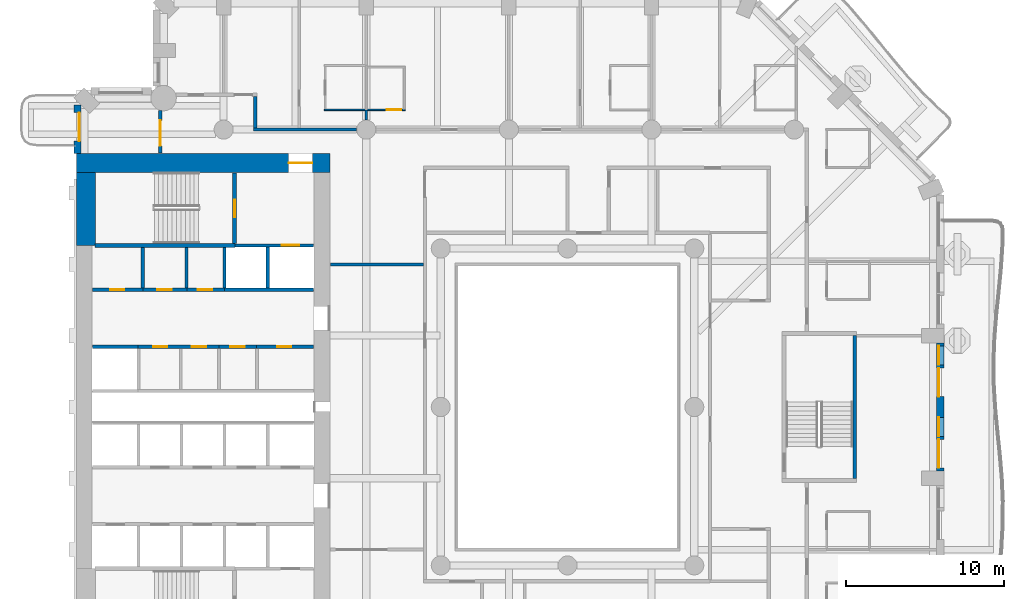
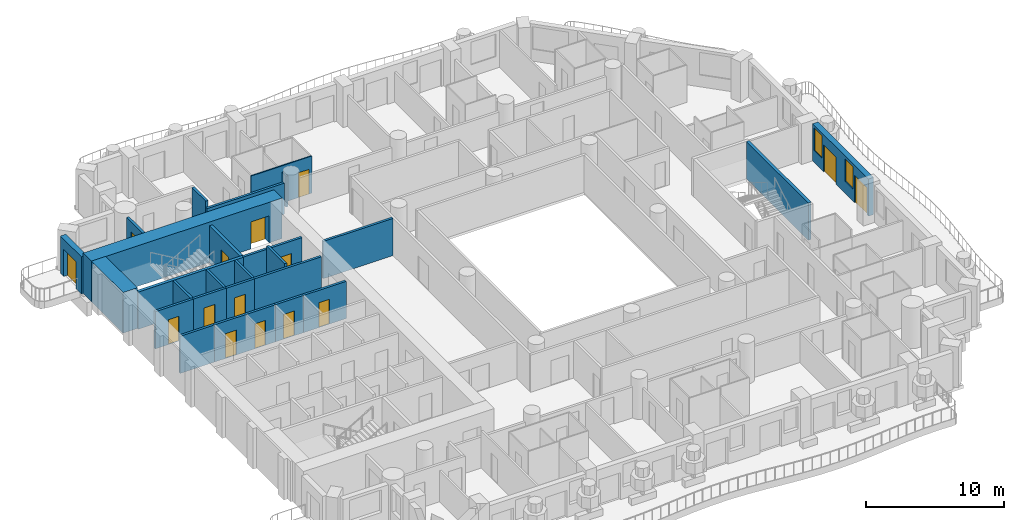
# One storey, part 7 of 20: 26 walls, 15 doors, 2 windows, 17 openings.
"""IFC4 building model written with IfcOpenShell, lengths in metres."""

import ifcopenshell
import ifcopenshell.guid

model = None  # the IFC model being written
_history = None  # IfcOwnerHistory: only IFC2X3 demands one
_inside = {}  # id of a spatial element -> (the spatial element, [elements in it])
_under = {}  # id of a project, library or spatial element -> (it, [spatial elements below it])
_declared = {}  # id of a project -> (the project, [libraries it declares])
_typed = {}  # id of a type object -> (the type object, [elements of that type])
_made_of = {}  # id of a material, layer set ... -> (it, [elements and type objects made of it])


def new_model(schema):
    """Start an empty IFC model of exactly this schema.

    Asked for "IFC4X3", IfcOpenShell would pick the latest addendum, in which some entities
    have other attributes; the version numbers below select the first issue.
    IFC2X3 requires an IfcOwnerHistory on every rooted entity: one is made here for all.
    """
    global model, _history
    if schema == "IFC4X3":
        model = ifcopenshell.file(schema_version=(4, 3, 0, 0))
    else:
        model = ifcopenshell.file(schema=schema)
    _inside.clear()
    _under.clear()
    _declared.clear()
    _typed.clear()
    _made_of.clear()
    _history = None
    if model.schema == "IFC2X3":
        org = make("IfcOrganization", Name="unknown")
        user = make(
            "IfcPersonAndOrganization",
            ThePerson=make("IfcPerson", FamilyName="unknown"),
            TheOrganization=org,
        )
        app = make(
            "IfcApplication",
            ApplicationDeveloper=org,
            Version="unknown",
            ApplicationFullName="unknown",
            ApplicationIdentifier="unknown",
        )
        _history = make(
            "IfcOwnerHistory",
            OwningUser=user,
            OwningApplication=app,
            ChangeAction="ADDED",
            CreationDate=0,
        )
    return model


def make(cls, **values):
    """One entity of the class cls with the attributes given. An attribute that is None is left unset."""
    return model.create_entity(
        cls, **{name: value for name, value in values.items() if value is not None}
    )


def rooted(cls, **values):
    """An entity with a GlobalId (a new one), such as an element, a storey or a relation."""
    return make(cls, GlobalId=ifcopenshell.guid.new(), OwnerHistory=_history, **values)


def si_unit(unit_type, name, prefix=None):
    """IfcSIUnit, for example si_unit("LENGTHUNIT", "METRE", prefix="MILLI")."""
    return make("IfcSIUnit", UnitType=unit_type, Prefix=prefix, Name=name)


def assignment(units):
    """IfcUnitAssignment: the units of a project."""
    return None if units is None else make("IfcUnitAssignment", Units=units)


def point(xyz):
    """IfcCartesianPoint."""
    return None if xyz is None else make("IfcCartesianPoint", Coordinates=xyz)


def direction(xyz):
    """IfcDirection."""
    return None if xyz is None else make("IfcDirection", DirectionRatios=xyz)


def frame(location, z_axis=None, x_axis=None):
    """IfcAxis2Placement3D, a coordinate frame: its origin and axes. An axis left out is left unset."""
    return make(
        "IfcAxis2Placement3D",
        Location=point(location),
        Axis=direction(z_axis),
        RefDirection=direction(x_axis),
    )


def frame_2d(location, x_axis=None):
    """IfcAxis2Placement2D, a coordinate frame in the plane: its origin and x axis."""
    return make(
        "IfcAxis2Placement2D", Location=point(location), RefDirection=direction(x_axis)
    )


def origin():
    """The frame at (0, 0, 0) with its axes left unset."""
    return frame((0.0, 0.0, 0.0))


def place(relative_to, where):
    """IfcLocalPlacement: puts the frame where relative to a parent placement (None: the world)."""
    return make(
        "IfcLocalPlacement", PlacementRelTo=relative_to, RelativePlacement=where
    )


def context(
    kind, dimensions, precision=None, world=None, true_north=None, identifier=None
):
    """IfcGeometricRepresentationContext, for example the 3D "Model" context."""
    return make(
        "IfcGeometricRepresentationContext",
        ContextIdentifier=identifier,
        ContextType=kind,
        CoordinateSpaceDimension=dimensions,
        Precision=precision,
        WorldCoordinateSystem=world,
        TrueNorth=true_north,
    )


def subcontext(parent, identifier, kind, view, scale=None):
    """IfcGeometricRepresentationSubContext, for example "Body" below "Model"."""
    return make(
        "IfcGeometricRepresentationSubContext",
        ContextIdentifier=identifier,
        ContextType=kind,
        ParentContext=parent,
        TargetScale=scale,
        TargetView=view,
    )


def project(units=None, contexts=None):
    """IfcProject with its units and contexts."""
    return rooted(
        "IfcProject",
        Name="project",
        RepresentationContexts=contexts,
        UnitsInContext=assignment(units),
    )


def spatial(cls, under=None, at=None, **own):
    """A site, building, storey or space (cls), placed at a placement, below another one or the project."""
    s = rooted(cls, ObjectPlacement=at, **own)
    if under is not None:
        _under.setdefault(under.id(), (under, []))[1].append(s)
    return s


def profile(cls, at=None, kind="AREA", **sizes):
    """A parametric profile (cls). Its sizes go by their IFC names, for example OverallWidth=200.0."""
    return make(cls, ProfileType=kind, Position=at, **sizes)


def rectangle(**sizes):
    """IfcRectangleProfileDef."""
    return profile("IfcRectangleProfileDef", **sizes)


def extrude(swept, where, along, depth):
    """IfcExtrudedAreaSolid: the profile swept, set in the frame where, extruded along a direction by depth."""
    return make(
        "IfcExtrudedAreaSolid",
        SweptArea=swept,
        Position=where,
        ExtrudedDirection=direction(along),
        Depth=depth,
    )


def shape(context_of_items, identifier, shape_type, items):
    """IfcShapeRepresentation: the items that make up one representation, for example the "Body"."""
    return make(
        "IfcShapeRepresentation",
        ContextOfItems=context_of_items,
        RepresentationIdentifier=identifier,
        RepresentationType=shape_type,
        Items=items,
    )


def material(Name=None, Category=None):
    """IfcMaterial."""
    return make("IfcMaterial", Name=Name, Category=Category)


def layer(
    of_material, thickness, ventilated=None, Name=None, Category=None, Priority=None
):
    """IfcMaterialLayer: one layer of a wall or slab, of a material (None: an air gap)."""
    return make(
        "IfcMaterialLayer",
        Material=of_material,
        LayerThickness=thickness,
        IsVentilated=ventilated,
        Name=Name,
        Category=Category,
        Priority=Priority,
    )


def layer_set(layers, Name=None):
    """IfcMaterialLayerSet."""
    return make("IfcMaterialLayerSet", MaterialLayers=layers, LayerSetName=Name)


def made_of(thing, what):
    """Note that an element or type object is made of a material, layer set ...; save() writes the relation."""
    if what is not None:
        _made_of.setdefault(what.id(), (what, []))[1].append(thing)
    return thing


def type_object(cls, material=None, **own):
    """A type object (cls), such as IfcWallType, which elements share."""
    return made_of(rooted(cls, **own), material)


def element(
    cls,
    number,
    at=None,
    inside=None,
    cuts=None,
    type_object=None,
    material=None,
    context=None,
    identifier="Body",
    shape_type=None,
    held_by="IfcProductDefinitionShape",
    body=None,
    shapes=None,
    **own,
):
    """One element of the class cls, such as IfcWall. Its Tag is "e" and its number.

    at: its placement. inside: the storey or other place that contains it. cuts: it is an
    opening in that element (IfcRelVoidsElement). A single representation is given by context,
    identifier, shape_type and body (its items); several are given by shapes. held_by: the class
    of the entity that holds the representations. save() writes the other relations.
    """
    e = rooted(cls, Tag="e%d" % number, ObjectPlacement=at, **own)
    if body is not None:
        shapes = [shape(context, identifier, shape_type, body)]
    if shapes is not None:
        e.Representation = make(held_by, Representations=shapes)
    if inside is not None:
        _inside.setdefault(inside.id(), (inside, []))[1].append(e)
    if cuts is not None:
        rooted(
            "IfcRelVoidsElement", RelatingBuildingElement=cuts, RelatedOpeningElement=e
        )
    if type_object is not None:
        _typed.setdefault(type_object.id(), (type_object, []))[1].append(e)
    return made_of(e, material)


def fill(opening, filler):
    """IfcRelFillsElement: the door or window that sits in an opening."""
    return rooted(
        "IfcRelFillsElement",
        RelatingOpeningElement=opening,
        RelatedBuildingElement=filler,
    )


def aggregate(whole, parts):
    """IfcRelAggregates: a whole, such as a stair, and the parts it consists of."""
    return rooted("IfcRelAggregates", RelatingObject=whole, RelatedObjects=parts)


def save(model, path):
    """Write the relations noted so far, then the file.

    IfcRelAggregates (storeys below a building ...), IfcRelContainedInSpatialStructure (elements
    in a storey), IfcRelDefinesByType, IfcRelAssociatesMaterial and IfcRelDeclares: one each for
    every whole, place, type object, material and project.
    """
    for whole, parts in _under.values():
        aggregate(whole, parts)
    for where, things in _inside.values():
        rooted(
            "IfcRelContainedInSpatialStructure",
            RelatedElements=things,
            RelatingStructure=where,
        )
    for kind, things in _typed.values():
        rooted("IfcRelDefinesByType", RelatedObjects=things, RelatingType=kind)
    for what, things in _made_of.values():
        rooted("IfcRelAssociatesMaterial", RelatedObjects=things, RelatingMaterial=what)
    for by, libraries in _declared.values():
        rooted("IfcRelDeclares", RelatingContext=by, RelatedDefinitions=libraries)
    model.write(path)


model = new_model("IFC4")

# Units and contexts
model_context = context("Model", 3, precision=1e-05, world=origin(), true_north=direction((0.0, 1.0)))
body_context = subcontext(model_context, "Body", "Model", "MODEL_VIEW")
ifc_project = project(units=[si_unit("LENGTHUNIT", "METRE"), si_unit("AREAUNIT", "SQUARE_METRE"), si_unit("VOLUMEUNIT", "CUBIC_METRE"), si_unit("PLANEANGLEUNIT", "RADIAN"), si_unit("MASSUNIT", "GRAM", prefix="KILO")], contexts=[model_context])

# Site, building, storey
site_placement = place(None, origin())
site = spatial("IfcSite", under=ifc_project, at=site_placement, CompositionType="ELEMENT")
building_placement = place(site_placement, origin())
building = spatial("IfcBuilding", under=site, at=building_placement, Name="Cypress Arch Tower", CompositionType="ELEMENT")
storey_placement = place(building_placement, frame((0.0, 0.0, 84.300048828125)))
storey = spatial("IfcBuildingStorey", under=building, at=storey_placement, Name="L15", CompositionType="ELEMENT", Elevation=84.300048828125)

# Wall, opening, door
ifc_material_1 = material(Name="Brick (red buff blend)", Category="masonry")
ifc_layer_1 = layer(ifc_material_1, 0.449951171875)
ifc_layer_set_1 = layer_set([ifc_layer_1], Name="Brick pier and spandrel wall BW450")
wall_type_1 = type_object("IfcWallType", Name="Brick pier and spandrel wall BW450", PredefinedType="SOLIDWALL", material=ifc_layer_set_1)
wall_1_placement = place(storey_placement, frame((-29.925048828125, 19.063720703125, 0.0), z_axis=(0.0, 0.0, 1.0), x_axis=(0.0, -1.0, 0.0)))
wall_1 = element("IfcWall", 1, at=wall_1_placement, inside=storey, type_object=wall_type_1, Name="Brick wall L15 A00.0", PredefinedType="SOLIDWALL", context=body_context, shape_type="SweptSolid", body=[
    extrude(rectangle(XDim=3.063720703125, YDim=0.449951171875, at=frame_2d((1.53173828125, 0.0))), origin(), (0.0, 0.0, 1.0), 3.300048828125),
])
opening_1_placement = place(wall_1_placement, frame((0.481689453125, 0.0, 0.0)))
opening_1 = element("IfcOpeningElement", 2, at=opening_1_placement, cuts=wall_1, Name="Opening D-L15-A00.0.1", PredefinedType="OPENING", context=body_context, shape_type="SweptSolid", body=[
    extrude(rectangle(XDim=1.800048828125, YDim=2.39990234375, at=frame_2d((0.89990234375, 1.199951171875))), frame((0.0, 0.23486328125, 0.0), z_axis=(0.0, -1.0, 0.0), x_axis=(1.0, 0.0, 0.0)), (0.0, 0.0, 1.0), 0.469970703125),
])
ifc_material_2 = material(Name="Anodised aluminium, bronze finish, laminated low-emissivity double glazing, large-missile impact rated", Category="aluminium")
door_type_1 = type_object("IfcDoorType", Name="Balcony sliding door 1800x2400", OperationType="SLIDING_TO_LEFT", PredefinedType="DOOR", material=ifc_material_2)
door_1_placement = place(opening_1_placement, origin())
door_1 = element("IfcDoor", 3, at=door_1_placement, inside=storey, type_object=door_type_1, Name="Balcony door L15 A00.0.1", OperationType="SLIDING_TO_LEFT", OverallHeight=2.39990234375, OverallWidth=1.800048828125, PredefinedType="DOOR", context=body_context, shape_type="SweptSolid", body=[
    extrude(rectangle(XDim=1.800048828125, YDim=2.39990234375, at=frame_2d((0.89990234375, 1.199951171875))), frame((0.0, 0.1298828125, 0.0), z_axis=(0.0, -1.0, 0.0), x_axis=(1.0, 0.0, 0.0)), (0.0, 0.0, 1.0), 0.050048828125),
])
fill(opening_1, door_1)

# Wall, openings, doors, windows
wall_2_placement = place(storey_placement, frame((24.52490234375, -4.050048828125, 0.0), z_axis=(0.0, 0.0, 1.0), x_axis=(0.0, 1.0, 0.0)))
wall_2 = element("IfcWall", 4, at=wall_2_placement, inside=storey, type_object=wall_type_1, Name="Brick wall L15 A06.2", PredefinedType="SOLIDWALL", context=body_context, shape_type="SweptSolid", body=[
    extrude(rectangle(XDim=8.10009765625, YDim=0.449951171875, at=frame_2d((4.050048828125, 0.0))), origin(), (0.0, 0.0, 1.0), 3.300048828125),
])
opening_2_placement = place(wall_2_placement, frame((0.199951171875, 0.0, 0.0)))
opening_2 = element("IfcOpeningElement", 5, at=opening_2_placement, cuts=wall_2, Name="Opening D-L15-A06.2.1", PredefinedType="OPENING", context=body_context, shape_type="SweptSolid", body=[
    extrude(rectangle(XDim=1.800048828125, YDim=2.39990234375, at=frame_2d((0.89990234375, 1.199951171875))), frame((0.0, 0.23486328125, 0.0), z_axis=(0.0, -1.0, 0.0), x_axis=(1.0, 0.0, 0.0)), (0.0, 0.0, 1.0), 0.469970703125),
])
opening_3_placement = place(wall_2_placement, frame((2.199951171875, 0.0, 1.050048828125)))
opening_3 = element("IfcOpeningElement", 6, at=opening_3_placement, cuts=wall_2, Name="Opening W120HD", PredefinedType="OPENING", context=body_context, shape_type="SweptSolid", body=[
    extrude(rectangle(XDim=1.199951171875, YDim=2.0, at=frame_2d((0.60009765625, 1.0))), frame((0.0, 0.23486328125, 0.0), z_axis=(0.0, -1.0, 0.0), x_axis=(1.0, 0.0, 0.0)), (0.0, 0.0, 1.0), 0.469970703125),
])
opening_4_placement = place(wall_2_placement, frame((4.699951171875, 0.0, 0.0)))
opening_4 = element("IfcOpeningElement", 7, at=opening_4_placement, cuts=wall_2, Name="Opening D-L15-A06.2.2", PredefinedType="OPENING", context=body_context, shape_type="SweptSolid", body=[
    extrude(rectangle(XDim=1.800048828125, YDim=2.39990234375, at=frame_2d((0.89990234375, 1.199951171875))), frame((0.0, 0.23486328125, 0.0), z_axis=(0.0, -1.0, 0.0), x_axis=(1.0, 0.0, 0.0)), (0.0, 0.0, 1.0), 0.469970703125),
])
opening_5_placement = place(wall_2_placement, frame((6.699951171875, 0.0, 1.050048828125)))
opening_5 = element("IfcOpeningElement", 8, at=opening_5_placement, cuts=wall_2, Name="Opening W120HD", PredefinedType="OPENING", context=body_context, shape_type="SweptSolid", body=[
    extrude(rectangle(XDim=1.199951171875, YDim=2.0, at=frame_2d((0.60009765625, 1.0))), frame((0.0, 0.23486328125, 0.0), z_axis=(0.0, -1.0, 0.0), x_axis=(1.0, 0.0, 0.0)), (0.0, 0.0, 1.0), 0.469970703125),
])
door_2_placement = place(opening_2_placement, origin())
door_2 = element("IfcDoor", 9, at=door_2_placement, inside=storey, type_object=door_type_1, Name="Balcony door L15 A06.2.1", OperationType="SLIDING_TO_LEFT", OverallHeight=2.39990234375, OverallWidth=1.800048828125, PredefinedType="DOOR", context=body_context, shape_type="SweptSolid", body=[
    extrude(rectangle(XDim=1.800048828125, YDim=2.39990234375, at=frame_2d((0.89990234375, 1.199951171875))), frame((0.0, 0.1298828125, 0.0), z_axis=(0.0, -1.0, 0.0), x_axis=(1.0, 0.0, 0.0)), (0.0, 0.0, 1.0), 0.050048828125),
])
fill(opening_2, door_2)
door_3_placement = place(opening_4_placement, origin())
door_3 = element("IfcDoor", 10, at=door_3_placement, inside=storey, type_object=door_type_1, Name="Balcony door L15 A06.2.2", OperationType="SLIDING_TO_LEFT", OverallHeight=2.39990234375, OverallWidth=1.800048828125, PredefinedType="DOOR", context=body_context, shape_type="SweptSolid", body=[
    extrude(rectangle(XDim=1.800048828125, YDim=2.39990234375, at=frame_2d((0.89990234375, 1.199951171875))), frame((0.0, 0.1298828125, 0.0), z_axis=(0.0, -1.0, 0.0), x_axis=(1.0, 0.0, 0.0)), (0.0, 0.0, 1.0), 0.050048828125),
])
fill(opening_4, door_3)
ifc_material_3 = material(Name="Anodised aluminium, bronze finish, laminated low-emissivity double glazing, large-missile impact rated", Category="aluminium")
window_type = type_object("IfcWindowType", Name="Window Hotel 1200x2000 debris-rated", PartitioningType="SINGLE_PANEL", PredefinedType="WINDOW", material=ifc_material_3)
window_1_placement = place(opening_3_placement, origin())
window_1 = element("IfcWindow", 11, at=window_1_placement, inside=storey, type_object=window_type, Name="Window L15 A06.2.1", OverallHeight=2.0, OverallWidth=1.199951171875, PartitioningType="SINGLE_PANEL", PredefinedType="WINDOW", context=body_context, shape_type="SweptSolid", body=[
    extrude(rectangle(XDim=1.199951171875, YDim=2.0, at=frame_2d((0.60009765625, 1.0))), frame((0.0, 0.135009765625, 0.0), z_axis=(0.0, -1.0, 0.0), x_axis=(1.0, 0.0, 0.0)), (0.0, 0.0, 1.0), 0.06005859375),
])
fill(opening_3, window_1)
window_2_placement = place(opening_5_placement, origin())
window_2 = element("IfcWindow", 12, at=window_2_placement, inside=storey, type_object=window_type, Name="Window L15 A06.2.2", OverallHeight=2.0, OverallWidth=1.199951171875, PartitioningType="SINGLE_PANEL", PredefinedType="WINDOW", context=body_context, shape_type="SweptSolid", body=[
    extrude(rectangle(XDim=1.199951171875, YDim=2.0, at=frame_2d((0.60009765625, 1.0))), frame((0.0, 0.135009765625, 0.0), z_axis=(0.0, -1.0, 0.0), x_axis=(1.0, 0.0, 0.0)), (0.0, 0.0, 1.0), 0.06005859375),
])
fill(opening_5, window_2)

# Wall, opening, door
ifc_material_4 = material(Name="Concrete C80/95", Category="concrete")
ifc_layer_2 = layer(ifc_material_4, 1.199951171875)
ifc_layer_set_2 = layer_set([ifc_layer_2], Name="Core wall CW1200 C80/95")
wall_type_2 = type_object("IfcWallType", Name="Core wall CW1200 C80/95", PredefinedType="SHEAR", material=ifc_layer_set_2)
wall_3_placement = place(storey_placement, frame((-30.0, 15.39990234375, 0.0), z_axis=(0.0, 0.0, 1.0), x_axis=(1.0, 0.0, 0.0)))
wall_3 = element("IfcWall", 13, at=wall_3_placement, inside=storey, type_object=wall_type_2, Name="Core wall", PredefinedType="SHEAR", context=body_context, shape_type="SweptSolid", body=[
    extrude(rectangle(XDim=16.0, YDim=1.199951171875, at=frame_2d((8.0, 0.0))), origin(), (0.0, 0.0, 1.0), 3.599853515625),
])
opening_6_placement = place(wall_3_placement, frame((13.39990234375, 0.0, 0.0)))
opening_6 = element("IfcOpeningElement", 14, at=opening_6_placement, cuts=wall_3, Name="Opening D07", PredefinedType="OPENING", context=body_context, shape_type="SweptSolid", body=[
    extrude(rectangle(XDim=1.5, YDim=2.39990234375, at=frame_2d((0.75, 1.199951171875))), frame((0.0, 0.60986328125, 0.0), z_axis=(0.0, -1.0, 0.0), x_axis=(1.0, 0.0, 0.0)), (0.0, 0.0, 1.0), 1.219970703125),
])
ifc_material_5 = material(Name="Steel framed glazed door, fire resisting", Category="steel")
door_type_2 = type_object("IfcDoorType", Name="Lobby door D07 1500x2400", OperationType="DOUBLE_DOOR_SINGLE_SWING", PredefinedType="DOOR", material=ifc_material_5)
door_4_placement = place(opening_6_placement, origin())
door_4 = element("IfcDoor", 15, at=door_4_placement, inside=storey, type_object=door_type_2, Name="Lobby door", OperationType="DOUBLE_DOOR_SINGLE_SWING", OverallHeight=2.39990234375, OverallWidth=1.5, PredefinedType="DOOR", context=body_context, shape_type="SweptSolid", body=[
    extrude(rectangle(XDim=1.5, YDim=2.39990234375, at=frame_2d((0.75, 1.199951171875))), frame((0.0, 0.02490234375, 0.0), z_axis=(0.0, -1.0, 0.0), x_axis=(1.0, 0.0, 0.0)), (0.0, 0.0, 1.0), 0.050048828125),
])
fill(opening_6, door_4)

# Wall
wall_4_placement = place(storey_placement, frame((-29.39990234375, 10.199951171875, 0.0), z_axis=(0.0, 0.0, 1.0), x_axis=(0.0, 1.0, 0.0)))
element("IfcWall", 16, at=wall_4_placement, inside=storey, type_object=wall_type_2, Name="Core wall", PredefinedType="SHEAR", context=body_context, shape_type="SweptSolid", body=[
    extrude(rectangle(XDim=4.60009765625, YDim=1.199951171875, at=frame_2d((2.300048828125, 0.0))), origin(), (0.0, 0.0, 1.0), 3.599853515625),
])

# Wall, opening, door
ifc_material_6 = material(Name="Concrete blockwork, plastered, rated", Category="masonry")
ifc_layer_3 = layer(ifc_material_6, 0.199951171875)
ifc_layer_set_3 = layer_set([ifc_layer_3], Name="Corridor wall FW200")
wall_type_3 = type_object("IfcWallType", Name="Corridor wall FW200", PredefinedType="PARTITIONING", material=ifc_layer_set_3)
wall_5_placement = place(storey_placement, frame((-28.969970703125, 7.39990234375, 0.0), z_axis=(0.0, 0.0, 1.0), x_axis=(1.0, 0.0, 0.0)))
wall_5 = element("IfcWall", 17, at=wall_5_placement, inside=storey, type_object=wall_type_3, Name="Corridor wall", PredefinedType="PARTITIONING", context=body_context, shape_type="SweptSolid", body=[
    extrude(rectangle(XDim=3.18994140625, YDim=0.199951171875, at=frame_2d((1.594970703125, 0.0))), origin(), (0.0, 0.0, 1.0), 3.300048828125),
])
opening_7_placement = place(wall_5_placement, frame((1.10009765625, 0.0, 0.0)))
opening_7 = element("IfcOpeningElement", 18, at=opening_7_placement, cuts=wall_5, Name="Opening D05", PredefinedType="OPENING", context=body_context, shape_type="SweptSolid", body=[
    extrude(rectangle(XDim=0.89990234375, YDim=2.199951171875, at=frame_2d((0.449951171875, 1.10009765625))), frame((0.0, 0.10986328125, 0.0), z_axis=(0.0, -1.0, 0.0), x_axis=(1.0, 0.0, 0.0)), (0.0, 0.0, 1.0), 0.219970703125),
])
ifc_material_7 = material(Name="Timber flush door", Category="wood")
door_type_3 = type_object("IfcDoorType", Name="Service door D05 900x2200", OperationType="SINGLE_SWING_LEFT", PredefinedType="DOOR", material=ifc_material_7)
door_5_placement = place(opening_7_placement, origin())
door_5 = element("IfcDoor", 19, at=door_5_placement, inside=storey, type_object=door_type_3, Name="Service door", OperationType="SINGLE_SWING_RIGHT", OverallHeight=2.199951171875, OverallWidth=0.89990234375, PredefinedType="DOOR", context=body_context, shape_type="SweptSolid", body=[
    extrude(rectangle(XDim=0.89990234375, YDim=2.199951171875, at=frame_2d((0.449951171875, 1.10009765625))), frame((0.0, 0.02490234375, 0.0), z_axis=(0.0, -1.0, 0.0), x_axis=(1.0, 0.0, 0.0)), (0.0, 0.0, 1.0), 0.050048828125),
])
fill(opening_7, door_5)

# Wall, openings, doors
wall_6_placement = place(storey_placement, frame((-26.10009765625, 3.800048828125, 0.0), z_axis=(0.0, 0.0, 1.0), x_axis=(1.0, 0.0, 0.0)))
wall_6 = element("IfcWall", 20, at=wall_6_placement, inside=storey, type_object=wall_type_3, Name="Corridor wall", PredefinedType="PARTITIONING", context=body_context, shape_type="SweptSolid", body=[
    extrude(rectangle(XDim=5.1201171875, YDim=0.199951171875, at=frame_2d((2.56005859375, 0.0))), origin(), (0.0, 0.0, 1.0), 3.300048828125),
])
opening_8_placement = place(wall_6_placement, frame((0.949951171875, 0.0, 0.0)))
opening_8 = element("IfcOpeningElement", 21, at=opening_8_placement, cuts=wall_6, Name="Opening D05", PredefinedType="OPENING", context=body_context, shape_type="SweptSolid", body=[
    extrude(rectangle(XDim=0.89990234375, YDim=2.199951171875, at=frame_2d((0.449951171875, 1.10009765625))), frame((0.0, 0.10986328125, 0.0), z_axis=(0.0, -1.0, 0.0), x_axis=(1.0, 0.0, 0.0)), (0.0, 0.0, 1.0), 0.219970703125),
])
opening_9_placement = place(wall_6_placement, frame((3.39990234375, 0.0, 0.0)))
opening_9 = element("IfcOpeningElement", 22, at=opening_9_placement, cuts=wall_6, Name="Opening D05", PredefinedType="OPENING", context=body_context, shape_type="SweptSolid", body=[
    extrude(rectangle(XDim=0.89990234375, YDim=2.199951171875, at=frame_2d((0.449951171875, 1.10009765625))), frame((0.0, 0.10986328125, 0.0), z_axis=(0.0, -1.0, 0.0), x_axis=(1.0, 0.0, 0.0)), (0.0, 0.0, 1.0), 0.219970703125),
])
door_6_placement = place(opening_8_placement, origin())
door_6 = element("IfcDoor", 23, at=door_6_placement, inside=storey, type_object=door_type_3, Name="Service door", OperationType="SINGLE_SWING_LEFT", OverallHeight=2.199951171875, OverallWidth=0.89990234375, PredefinedType="DOOR", context=body_context, shape_type="SweptSolid", body=[
    extrude(rectangle(XDim=0.89990234375, YDim=2.199951171875, at=frame_2d((0.449951171875, 1.10009765625))), frame((0.0, 0.02490234375, 0.0), z_axis=(0.0, -1.0, 0.0), x_axis=(1.0, 0.0, 0.0)), (0.0, 0.0, 1.0), 0.050048828125),
])
fill(opening_8, door_6)
door_7_placement = place(opening_9_placement, origin())
door_7 = element("IfcDoor", 24, at=door_7_placement, inside=storey, type_object=door_type_3, Name="Service door", OperationType="SINGLE_SWING_RIGHT", OverallHeight=2.199951171875, OverallWidth=0.89990234375, PredefinedType="DOOR", context=body_context, shape_type="SweptSolid", body=[
    extrude(rectangle(XDim=0.89990234375, YDim=2.199951171875, at=frame_2d((0.449951171875, 1.10009765625))), frame((0.0, 0.02490234375, 0.0), z_axis=(0.0, -1.0, 0.0), x_axis=(1.0, 0.0, 0.0)), (0.0, 0.0, 1.0), 0.050048828125),
])
fill(opening_9, door_7)

# Wall, opening, door
wall_7_placement = place(storey_placement, frame((-24.699951171875, 16.030029296875, 0.0), z_axis=(0.0, 0.0, 1.0), x_axis=(0.0, 1.0, 0.0)))
wall_7 = element("IfcWall", 25, at=wall_7_placement, inside=storey, type_object=wall_type_3, Name="Corridor wall", PredefinedType="PARTITIONING", context=body_context, shape_type="SweptSolid", body=[
    extrude(rectangle(XDim=2.670166015625, YDim=0.199951171875, at=frame_2d((1.3349609375, 0.0))), origin(), (0.0, 0.0, 1.0), 3.300048828125),
])
opening_10_placement = place(wall_7_placement, frame((0.449951171875, 0.0, 0.0)))
opening_10 = element("IfcOpeningElement", 26, at=opening_10_placement, cuts=wall_7, Name="Opening D10", PredefinedType="OPENING", context=body_context, shape_type="SweptSolid", body=[
    extrude(rectangle(XDim=1.60009765625, YDim=2.39990234375, at=frame_2d((0.800048828125, 1.199951171875))), frame((0.0, 0.10986328125, 0.0), z_axis=(0.0, -1.0, 0.0), x_axis=(1.0, 0.0, 0.0)), (0.0, 0.0, 1.0), 0.219970703125),
])
ifc_material_8 = material(Name="Black aluminium glazed door", Category="aluminium")
door_type_4 = type_object("IfcDoorType", Name="Amenity door D10 1600x2400", OperationType="DOUBLE_DOOR_SINGLE_SWING", PredefinedType="DOOR", material=ifc_material_8)
door_8_placement = place(opening_10_placement, origin())
door_8 = element("IfcDoor", 27, at=door_8_placement, inside=storey, type_object=door_type_4, Name="Amenity door", OperationType="DOUBLE_DOOR_SINGLE_SWING", OverallHeight=2.39990234375, OverallWidth=1.60009765625, PredefinedType="DOOR", context=body_context, shape_type="SweptSolid", body=[
    extrude(rectangle(XDim=1.60009765625, YDim=2.39990234375, at=frame_2d((0.800048828125, 1.199951171875))), frame((0.0, 0.02490234375, 0.0), z_axis=(0.0, -1.0, 0.0), x_axis=(1.0, 0.0, 0.0)), (0.0, 0.0, 1.0), 0.050048828125),
])
fill(opening_10, door_8)

wall_8_placement = place(storey_placement, frame((-23.02001953125, 7.39990234375, 0.0), z_axis=(0.0, 0.0, 1.0), x_axis=(1.0, 0.0, 0.0)))
wall_8 = element("IfcWall", 28, at=wall_8_placement, inside=storey, type_object=wall_type_3, Name="Corridor wall", PredefinedType="PARTITIONING", context=body_context, shape_type="SweptSolid", body=[
    extrude(rectangle(XDim=2.380126953125, YDim=0.199951171875, at=frame_2d((1.18994140625, 0.0))), origin(), (0.0, 0.0, 1.0), 3.300048828125),
])
opening_11_placement = place(wall_8_placement, frame((0.699951171875, 0.0, 0.0)))
opening_11 = element("IfcOpeningElement", 29, at=opening_11_placement, cuts=wall_8, Name="Opening D05", PredefinedType="OPENING", context=body_context, shape_type="SweptSolid", body=[
    extrude(rectangle(XDim=0.89990234375, YDim=2.199951171875, at=frame_2d((0.449951171875, 1.10009765625))), frame((0.0, 0.10986328125, 0.0), z_axis=(0.0, -1.0, 0.0), x_axis=(1.0, 0.0, 0.0)), (0.0, 0.0, 1.0), 0.219970703125),
])
door_9_placement = place(opening_11_placement, origin())
door_9 = element("IfcDoor", 30, at=door_9_placement, inside=storey, type_object=door_type_3, Name="Service door", OperationType="SINGLE_SWING_LEFT", OverallHeight=2.199951171875, OverallWidth=0.89990234375, PredefinedType="DOOR", context=body_context, shape_type="SweptSolid", body=[
    extrude(rectangle(XDim=0.89990234375, YDim=2.199951171875, at=frame_2d((0.449951171875, 1.10009765625))), frame((0.0, 0.02490234375, 0.0), z_axis=(0.0, -1.0, 0.0), x_axis=(1.0, 0.0, 0.0)), (0.0, 0.0, 1.0), 0.050048828125),
])
fill(opening_11, door_9)

# Walls
wall_9_placement = place(storey_placement, frame((-18.699951171875, 17.60009765625, 0.0), z_axis=(0.0, 0.0, 1.0), x_axis=(0.0, 1.0, 0.0)))
element("IfcWall", 31, at=wall_9_placement, inside=storey, type_object=wall_type_3, Name="Corridor wall", PredefinedType="PARTITIONING", context=body_context, shape_type="SweptSolid", body=[
    extrude(rectangle(XDim=2.0, YDim=0.199951171875, at=frame_2d((1.0, 0.0))), origin(), (0.0, 0.0, 1.0), 3.300048828125),
])
wall_10_placement = place(storey_placement, frame((-18.800048828125, 17.5, 0.0), z_axis=(0.0, 0.0, 1.0), x_axis=(1.0, 0.0, 0.0)))
element("IfcWall", 32, at=wall_10_placement, inside=storey, type_object=wall_type_3, Name="Corridor wall", PredefinedType="PARTITIONING", context=body_context, shape_type="SweptSolid", body=[
    extrude(rectangle(XDim=6.5, YDim=0.199951171875, at=frame_2d((3.25, 0.0))), origin(), (0.0, 0.0, 1.0), 2.75),
])

# Wall, opening, door
wall_11_placement = place(storey_placement, frame((-18.6201171875, 3.800048828125, 0.0), z_axis=(0.0, 0.0, 1.0), x_axis=(1.0, 0.0, 0.0)))
wall_11 = element("IfcWall", 33, at=wall_11_placement, inside=storey, type_object=wall_type_3, Name="Corridor wall", PredefinedType="PARTITIONING", context=body_context, shape_type="SweptSolid", body=[
    extrude(rectangle(XDim=3.590087890625, YDim=0.199951171875, at=frame_2d((1.794921875, 0.0))), origin(), (0.0, 0.0, 1.0), 3.300048828125),
])
opening_12_placement = place(wall_11_placement, frame((1.300048828125, 0.0, 0.0)))
opening_12 = element("IfcOpeningElement", 34, at=opening_12_placement, cuts=wall_11, Name="Opening D05", PredefinedType="OPENING", context=body_context, shape_type="SweptSolid", body=[
    extrude(rectangle(XDim=0.89990234375, YDim=2.199951171875, at=frame_2d((0.449951171875, 1.10009765625))), frame((0.0, 0.10986328125, 0.0), z_axis=(0.0, -1.0, 0.0), x_axis=(1.0, 0.0, 0.0)), (0.0, 0.0, 1.0), 0.219970703125),
])
door_10_placement = place(opening_12_placement, origin())
door_10 = element("IfcDoor", 35, at=door_10_placement, inside=storey, type_object=door_type_3, Name="Service door", OperationType="SINGLE_SWING_RIGHT", OverallHeight=2.199951171875, OverallWidth=0.89990234375, PredefinedType="DOOR", context=body_context, shape_type="SweptSolid", body=[
    extrude(rectangle(XDim=0.89990234375, YDim=2.199951171875, at=frame_2d((0.449951171875, 1.10009765625))), frame((0.0, 0.02490234375, 0.0), z_axis=(0.0, -1.0, 0.0), x_axis=(1.0, 0.0, 0.0)), (0.0, 0.0, 1.0), 0.050048828125),
])
fill(opening_12, door_10)

# Walls
wall_12_placement = place(storey_placement, frame((-13.969970703125, 9.0, 0.0), z_axis=(0.0, 0.0, 1.0), x_axis=(1.0, 0.0, 0.0)))
element("IfcWall", 36, at=wall_12_placement, inside=storey, type_object=wall_type_3, Name="Corridor wall", PredefinedType="PARTITIONING", context=body_context, shape_type="SweptSolid", body=[
    extrude(rectangle(XDim=5.869873046875, YDim=0.199951171875, at=frame_2d((2.93505859375, 0.0))), origin(), (0.0, 0.0, 1.0), 3.300048828125),
])
ifc_material_9 = material(Name="Blockwork, plastered both sides", Category="masonry")
ifc_layer_4 = layer(ifc_material_9, 0.14990234375)
ifc_layer_set_4 = layer_set([ifc_layer_4], Name="Partition PW150")
wall_type_4 = type_object("IfcWallType", Name="Partition PW150", PredefinedType="PARTITIONING", material=ifc_layer_set_4)
wall_13_placement = place(storey_placement, frame((-11.699951171875, 18.10009765625, 0.0), z_axis=(0.0, 0.0, 1.0), x_axis=(0.0, 1.0, 0.0)))
element("IfcWall", 37, at=wall_13_placement, inside=storey, type_object=wall_type_4, Name="Partition", PredefinedType="PARTITIONING", context=body_context, shape_type="SweptSolid", body=[
    extrude(rectangle(XDim=0.6298828125, YDim=0.14990234375, at=frame_2d((0.31494140625, 0.0))), origin(), (0.0, 0.0, 1.0), 2.75),
])

# Wall, opening, door
ifc_material_10 = material(Name="Reinforced blockwork, plastered, rated", Category="masonry")
ifc_layer_5 = layer(ifc_material_10, 0.199951171875)
ifc_layer_set_5 = layer_set([ifc_layer_5], Name="Plant and riser wall PL200")
wall_type_5 = type_object("IfcWallType", Name="Plant and riser wall PL200", PredefinedType="PARTITIONING", material=ifc_layer_set_5)
wall_14_placement = place(storey_placement, frame((-25.780029296875, 7.39990234375, 0.0), z_axis=(0.0, 0.0, 1.0), x_axis=(1.0, 0.0, 0.0)))
wall_14 = element("IfcWall", 38, at=wall_14_placement, inside=storey, type_object=wall_type_5, Name="Plant and riser wall", PredefinedType="PARTITIONING", context=body_context, shape_type="SweptSolid", body=[
    extrude(rectangle(XDim=2.760009765625, YDim=0.199951171875, at=frame_2d((1.3798828125, 0.0))), origin(), (0.0, 0.0, 1.0), 3.300048828125),
])
opening_13_placement = place(wall_14_placement, frame((0.89990234375, 0.0, 0.0)))
opening_13 = element("IfcOpeningElement", 39, at=opening_13_placement, cuts=wall_14, Name="Opening D05", PredefinedType="OPENING", context=body_context, shape_type="SweptSolid", body=[
    extrude(rectangle(XDim=0.89990234375, YDim=2.199951171875, at=frame_2d((0.449951171875, 1.10009765625))), frame((0.0, 0.10986328125, 0.0), z_axis=(0.0, -1.0, 0.0), x_axis=(1.0, 0.0, 0.0)), (0.0, 0.0, 1.0), 0.219970703125),
])
door_11_placement = place(opening_13_placement, origin())
door_11 = element("IfcDoor", 40, at=door_11_placement, inside=storey, type_object=door_type_3, Name="Service door", OperationType="SINGLE_SWING_LEFT", OverallHeight=2.199951171875, OverallWidth=0.89990234375, PredefinedType="DOOR", context=body_context, shape_type="SweptSolid", body=[
    extrude(rectangle(XDim=0.89990234375, YDim=2.199951171875, at=frame_2d((0.449951171875, 1.10009765625))), frame((0.0, 0.02490234375, 0.0), z_axis=(0.0, -1.0, 0.0), x_axis=(1.0, 0.0, 0.0)), (0.0, 0.0, 1.0), 0.050048828125),
])
fill(opening_13, door_11)

# Walls
for number, where, z_axis, x_axis, name in (
    (41, (-25.800048828125, 7.5, 0.0), (0.0, 0.0, 1.0), (0.0, 1.0, 0.0), "Plant and riser wall"),
    (42, (-23.0400390625, 7.5, 0.0), (0.0, 0.0, 1.0), (0.0, 1.0, 0.0), "Plant and riser wall"),
):
    element("IfcWall", number, at=place(storey_placement, frame(where, z_axis=z_axis, x_axis=x_axis)), inside=storey, type_object=wall_type_5, Name=name, PredefinedType="PARTITIONING", context=body_context, shape_type="SweptSolid", body=[
        extrude(rectangle(XDim=2.574951171875, YDim=0.199951171875, at=frame_2d((1.28759765625, 0.0))), origin(), (0.0, 0.0, 1.0), 3.300048828125),
    ])

# Wall, opening, door
wall_15_placement = place(storey_placement, frame((-20.97998046875, 3.800048828125, 0.0), z_axis=(0.0, 0.0, 1.0), x_axis=(1.0, 0.0, 0.0)))
wall_15 = element("IfcWall", 43, at=wall_15_placement, inside=storey, type_object=wall_type_5, Name="Plant and riser wall", PredefinedType="PARTITIONING", context=body_context, shape_type="SweptSolid", body=[
    extrude(rectangle(XDim=2.35986328125, YDim=0.199951171875, at=frame_2d((1.179931640625, 0.0))), origin(), (0.0, 0.0, 1.0), 3.300048828125),
])
opening_14_placement = place(wall_15_placement, frame((0.699951171875, 0.0, 0.0)))
opening_14 = element("IfcOpeningElement", 44, at=opening_14_placement, cuts=wall_15, Name="Opening D05", PredefinedType="OPENING", context=body_context, shape_type="SweptSolid", body=[
    extrude(rectangle(XDim=0.89990234375, YDim=2.199951171875, at=frame_2d((0.449951171875, 1.10009765625))), frame((0.0, 0.10986328125, 0.0), z_axis=(0.0, -1.0, 0.0), x_axis=(1.0, 0.0, 0.0)), (0.0, 0.0, 1.0), 0.219970703125),
])
door_12_placement = place(opening_14_placement, origin())
door_12 = element("IfcDoor", 45, at=door_12_placement, inside=storey, type_object=door_type_3, Name="Service door", OperationType="SINGLE_SWING_RIGHT", OverallHeight=2.199951171875, OverallWidth=0.89990234375, PredefinedType="DOOR", context=body_context, shape_type="SweptSolid", body=[
    extrude(rectangle(XDim=0.89990234375, YDim=2.199951171875, at=frame_2d((0.449951171875, 1.10009765625))), frame((0.0, 0.02490234375, 0.0), z_axis=(0.0, -1.0, 0.0), x_axis=(1.0, 0.0, 0.0)), (0.0, 0.0, 1.0), 0.050048828125),
])
fill(opening_14, door_12)

# Walls
ifc_material_11 = material(Name="Concrete C50/60", Category="concrete")
ifc_layer_6 = layer(ifc_material_11, 0.199951171875)
ifc_layer_set_6 = layer_set([ifc_layer_6], Name="Shaft wall SH200")
wall_type_6 = type_object("IfcWallType", Name="Shaft wall SH200", PredefinedType="SHEAR", material=ifc_layer_set_6)
wall_16_placement = place(storey_placement, frame((-28.969970703125, 3.800048828125, 0.0), z_axis=(0.0, 0.0, 1.0), x_axis=(1.0, 0.0, 0.0)))
element("IfcWall", 46, at=wall_16_placement, inside=storey, type_object=wall_type_6, Name="Shaft wall", PredefinedType="SHEAR", context=body_context, shape_type="SweptSolid", body=[
    extrude(rectangle(XDim=2.869873046875, YDim=0.199951171875, at=frame_2d((1.43505859375, 0.0))), origin(), (0.0, 0.0, 1.0), 3.300048828125),
])
wall_17_placement = place(storey_placement, frame((-20.639892578125, 7.5, 0.0), z_axis=(0.0, 0.0, 1.0), x_axis=(0.0, 1.0, 0.0)))
element("IfcWall", 47, at=wall_17_placement, inside=storey, type_object=wall_type_6, Name="Shaft wall", PredefinedType="SHEAR", context=body_context, shape_type="SweptSolid", body=[
    extrude(rectangle(XDim=2.574951171875, YDim=0.199951171875, at=frame_2d((1.28759765625, 0.0))), origin(), (0.0, 0.0, 1.0), 3.300048828125),
])
wall_18_placement = place(storey_placement, frame((-20.639892578125, 7.39990234375, 0.0), z_axis=(0.0, 0.0, 1.0), x_axis=(1.0, 0.0, 0.0)))
element("IfcWall", 48, at=wall_18_placement, inside=storey, type_object=wall_type_6, Name="Shaft wall", PredefinedType="SHEAR", context=body_context, shape_type="SweptSolid", body=[
    extrude(rectangle(XDim=5.60986328125, YDim=0.199951171875, at=frame_2d((2.804931640625, 0.0))), origin(), (0.0, 0.0, 1.0), 3.300048828125),
])

# Wall, opening, door
wall_19_placement = place(storey_placement, frame((-19.97998046875, 10.199951171875, 0.0), z_axis=(0.0, 0.0, 1.0), x_axis=(1.0, 0.0, 0.0)))
wall_19 = element("IfcWall", 49, at=wall_19_placement, inside=storey, type_object=wall_type_6, Name="Shaft wall", PredefinedType="SHEAR", context=body_context, shape_type="SweptSolid", body=[
    extrude(rectangle(XDim=4.949951171875, YDim=0.199951171875, at=frame_2d((2.47509765625, 0.0))), origin(), (0.0, 0.0, 1.0), 3.300048828125),
])
opening_15_placement = place(wall_19_placement, frame((2.949951171875, 0.0, 0.0)))
opening_15 = element("IfcOpeningElement", 50, at=opening_15_placement, cuts=wall_19, Name="Opening LD-FL2", PredefinedType="OPENING", context=body_context, shape_type="SweptSolid", body=[
    extrude(rectangle(XDim=1.10009765625, YDim=2.199951171875, at=frame_2d((0.550048828125, 1.10009765625))), frame((0.0, 0.10986328125, 0.0), z_axis=(0.0, -1.0, 0.0), x_axis=(1.0, 0.0, 0.0)), (0.0, 0.0, 1.0), 0.219970703125),
])
ifc_material_12 = material(Name="Stainless steel centre-opening landing door, rated", Category="steel")
door_type_5 = type_object("IfcDoorType", Name="Lift landing door LD 1100x2200", OperationType="DOUBLE_DOOR_SLIDING", PredefinedType="DOOR", material=ifc_material_12)
door_13_placement = place(opening_15_placement, origin())
door_13 = element("IfcDoor", 51, at=door_13_placement, inside=storey, type_object=door_type_5, Name="Lift landing doors FL2", OperationType="DOUBLE_DOOR_SLIDING", OverallHeight=2.199951171875, OverallWidth=1.10009765625, PredefinedType="DOOR", context=body_context, shape_type="SweptSolid", body=[
    extrude(rectangle(XDim=1.10009765625, YDim=2.199951171875, at=frame_2d((0.550048828125, 1.10009765625))), frame((0.0, 0.02490234375, 0.0), z_axis=(0.0, -1.0, 0.0), x_axis=(1.0, 0.0, 0.0)), (0.0, 0.0, 1.0), 0.050048828125),
])
fill(opening_15, door_13)

# Walls
wall_20_placement = place(storey_placement, frame((-17.919921875, 7.5, 0.0), z_axis=(0.0, 0.0, 1.0), x_axis=(0.0, 1.0, 0.0)))
element("IfcWall", 52, at=wall_20_placement, inside=storey, type_object=wall_type_6, Name="Shaft wall", PredefinedType="SHEAR", context=body_context, shape_type="SweptSolid", body=[
    extrude(rectangle(XDim=2.60009765625, YDim=0.199951171875, at=frame_2d((1.300048828125, 0.0))), origin(), (0.0, 0.0, 1.0), 3.599853515625),
])
ifc_material_13 = material(Name="Concrete C50/60", Category="concrete")
ifc_layer_7 = layer(ifc_material_13, 0.25)
ifc_layer_set_7 = layer_set([ifc_layer_7], Name="Stair enclosure wall SW250")
wall_type_7 = type_object("IfcWallType", Name="Stair enclosure wall SW250", PredefinedType="SHEAR", material=ifc_layer_set_7)
wall_21_placement = place(storey_placement, frame((-28.81005859375, 10.199951171875, 0.0), z_axis=(0.0, 0.0, 1.0), x_axis=(1.0, 0.0, 0.0)))
element("IfcWall", 53, at=wall_21_placement, inside=storey, type_object=wall_type_7, Name="Stair enclosure wall", PredefinedType="SHEAR", context=body_context, shape_type="SweptSolid", body=[
    extrude(rectangle(XDim=8.830078125, YDim=0.25, at=frame_2d((4.4150390625, 0.0))), origin(), (0.0, 0.0, 1.0), 3.300048828125),
])

# Wall, opening, door
wall_22_placement = place(storey_placement, frame((-20.0, 10.324951171875, 0.0), z_axis=(0.0, 0.0, 1.0), x_axis=(0.0, 1.0, 0.0)))
wall_22 = element("IfcWall", 54, at=wall_22_placement, inside=storey, type_object=wall_type_7, Name="Stair enclosure wall", PredefinedType="SHEAR", context=body_context, shape_type="SweptSolid", body=[
    extrude(rectangle(XDim=4.445068359375, YDim=0.25, at=frame_2d((2.22265625, 0.0))), origin(), (0.0, 0.0, 1.0), 3.300048828125),
])
opening_16_placement = place(wall_22_placement, frame((1.64990234375, 0.0, 0.0)))
opening_16 = element("IfcOpeningElement", 55, at=opening_16_placement, cuts=wall_22, Name="Opening D06", PredefinedType="OPENING", context=body_context, shape_type="SweptSolid", body=[
    extrude(rectangle(XDim=1.10009765625, YDim=2.199951171875, at=frame_2d((0.550048828125, 1.10009765625))), frame((0.0, 0.135009765625, 0.0), z_axis=(0.0, -1.0, 0.0), x_axis=(1.0, 0.0, 0.0)), (0.0, 0.0, 1.0), 0.27001953125),
])
ifc_material_14 = material(Name="Steel door, fire resisting, panic bar", Category="steel")
door_type_6 = type_object("IfcDoorType", Name="Stair door D06 1100x2200", OperationType="SINGLE_SWING_LEFT", PredefinedType="DOOR", material=ifc_material_14)
door_14_placement = place(opening_16_placement, origin())
door_14 = element("IfcDoor", 56, at=door_14_placement, inside=storey, type_object=door_type_6, Name="Stair door", OperationType="SINGLE_SWING_LEFT", OverallHeight=2.199951171875, OverallWidth=1.10009765625, PredefinedType="DOOR", context=body_context, shape_type="SweptSolid", body=[
    extrude(rectangle(XDim=1.10009765625, YDim=2.199951171875, at=frame_2d((0.550048828125, 1.10009765625))), frame((0.0, 0.02490234375, 0.0), z_axis=(0.0, -1.0, 0.0), x_axis=(1.0, 0.0, 0.0)), (0.0, 0.0, 1.0), 0.050048828125),
])
fill(opening_16, door_14)

# Wall
wall_23_placement = place(storey_placement, frame((19.125, -4.5, 0.0), z_axis=(0.0, 0.0, 1.0), x_axis=(0.0, 1.0, 0.0)))
element("IfcWall", 57, at=wall_23_placement, inside=storey, type_object=wall_type_7, Name="Stair enclosure wall", PredefinedType="SHEAR", context=body_context, shape_type="SweptSolid", body=[
    extrude(rectangle(XDim=9.0, YDim=0.25, at=frame_2d((4.5, 0.0))), origin(), (0.0, 0.0, 1.0), 3.300048828125),
])

# Wall, opening, door
ifc_material_15 = material(Name="Moisture resistant board on steel studs, tiled", Category="steel")
ifc_layer_8 = layer(ifc_material_15, 0.10009765625)
ifc_layer_set_8 = layer_set([ifc_layer_8], Name="Wet wall PW100")
wall_type_8 = type_object("IfcWallType", Name="Wet wall PW100", PredefinedType="PARTITIONING", material=ifc_layer_set_8)
wall_24_placement = place(storey_placement, frame((-14.345947265625, 18.75, 0.0), z_axis=(0.0, 0.0, 1.0), x_axis=(1.0, 0.0, 0.0)))
wall_24 = element("IfcWall", 58, at=wall_24_placement, inside=storey, type_object=wall_type_8, Name="Wet wall", PredefinedType="PARTITIONING", context=body_context, shape_type="SweptSolid", body=[
    extrude(rectangle(XDim=5.092041015625, YDim=0.10009765625, at=frame_2d((2.5458984375, 0.0))), origin(), (0.0, 0.0, 1.0), 3.300048828125),
])
opening_17_placement = place(wall_24_placement, frame((3.949951171875, 0.0, 0.0)))
opening_17 = element("IfcOpeningElement", 59, at=opening_17_placement, cuts=wall_24, Name="Opening D03", PredefinedType="OPENING", context=body_context, shape_type="SweptSolid", body=[
    extrude(rectangle(XDim=0.89990234375, YDim=2.199951171875, at=frame_2d((0.449951171875, 1.10009765625))), frame((0.0, 0.06005859375, 0.0), z_axis=(0.0, -1.0, 0.0), x_axis=(1.0, 0.0, 0.0)), (0.0, 0.0, 1.0), 0.1201171875),
])
ifc_material_16 = material(Name="Timber flush door, moisture resistant", Category="wood")
door_type_7 = type_object("IfcDoorType", Name="Bathroom door D03 900x2200", OperationType="SINGLE_SWING_LEFT", PredefinedType="DOOR", material=ifc_material_16)
door_15_placement = place(opening_17_placement, origin())
door_15 = element("IfcDoor", 60, at=door_15_placement, inside=storey, type_object=door_type_7, Name="Bathroom door", OperationType="SINGLE_SWING_RIGHT", OverallHeight=2.199951171875, OverallWidth=0.89990234375, PredefinedType="DOOR", context=body_context, shape_type="SweptSolid", body=[
    extrude(rectangle(XDim=0.89990234375, YDim=2.199951171875, at=frame_2d((0.449951171875, 1.10009765625))), frame((0.0, 0.02490234375, 0.0), z_axis=(0.0, -1.0, 0.0), x_axis=(1.0, 0.0, 0.0)), (0.0, 0.0, 1.0), 0.050048828125),
])
fill(opening_17, door_15)

save(model, "model.ifc")
